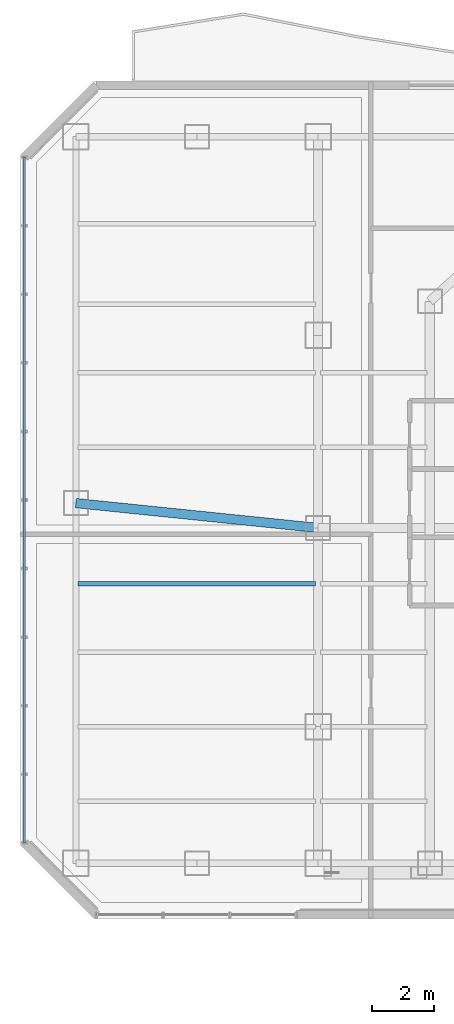
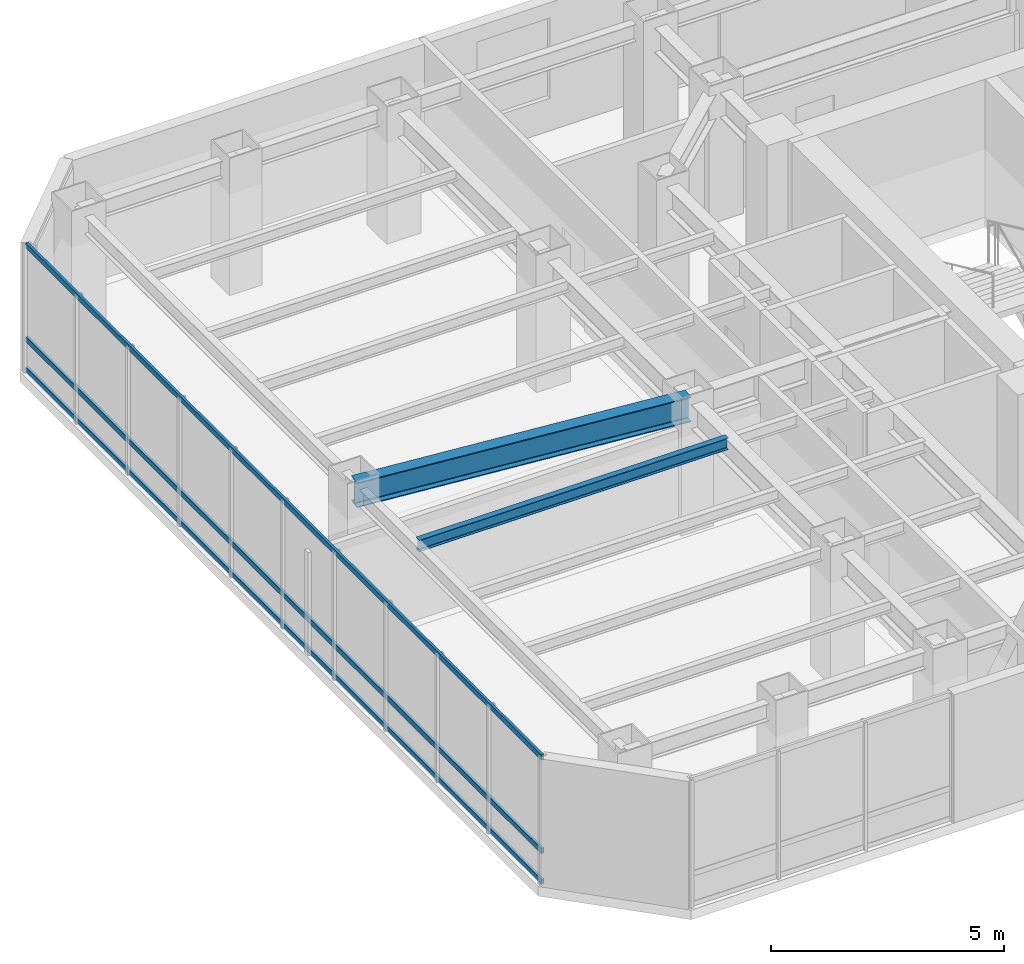
# One storey, part 7 of 27: 3 members, 2 beams, 1 element without a shape of its own.
"""IFC4 building model written with IfcOpenShell, lengths in metres."""

from ifc_helpers import new_model, si_unit, direction, frame, origin, origin_2d, place, context, subcontext, project, spatial, hollow_rectangle, i_section, extrude, material, layer, layer_set, material_profile, profile_set, type_object, element, aggregate, save


model = new_model("IFC4")

# Units and contexts
model_context = context("Model", 3, precision=1e-05, world=origin(), true_north=direction((0.0, 1.0)))
body_context = subcontext(model_context, "Body", "Model", "MODEL_VIEW")
ifc_project = project(units=[si_unit("LENGTHUNIT", "METRE"), si_unit("AREAUNIT", "SQUARE_METRE"), si_unit("VOLUMEUNIT", "CUBIC_METRE"), si_unit("PLANEANGLEUNIT", "RADIAN"), si_unit("MASSUNIT", "GRAM", prefix="KILO")], contexts=[model_context])

# Site, building, storey
site_placement = place(None, origin())
site = spatial("IfcSite", under=ifc_project, at=site_placement, CompositionType="ELEMENT")
building_placement = place(site_placement, origin())
building = spatial("IfcBuilding", under=site, at=building_placement, Name="Hatsunagi Terrace Concourse", CompositionType="ELEMENT")
storey_placement = place(building_placement, frame((0.0, 0.0, 156.449951171875)))
storey = spatial("IfcBuildingStorey", under=building, at=storey_placement, Name="L41", CompositionType="ELEMENT", Elevation=156.449951171875)

# Curtain wall, members
ifc_material_1 = material(Name="Anodised Aluminium Alloy 6063-T5", Category="aluminium")
ifc_layer = layer(ifc_material_1, 0.199951171875)
ifc_layer_set = layer_set([ifc_layer], Name="OfficeZone1_CW03")
curtain_wall_type = type_object("IfcCurtainWallType", Name="OfficeZone1_CW03", PredefinedType="NOTDEFINED", material=ifc_layer_set)
curtain_wall_placement = place(storey_placement, origin())
curtain_wall = element("IfcCurtainWall", 1, at=curtain_wall_placement, inside=storey, type_object=curtain_wall_type, Name="Unitised Curtain Wall CW-03 CW-L41-09", PredefinedType="NOTDEFINED")
ifc_material_2 = material(Name="Anodised Aluminium Alloy 6063-T5", Category="aluminium")
ifc_material_profile_1 = material_profile(ifc_material_2, hollow_rectangle(XDim=0.06494140625, YDim=0.139892578125, WallThickness=0.00390625, at=origin_2d()), Name="ALU-TRN-140x65x4")
ifc_profile_set_1 = profile_set([ifc_material_profile_1], Name="Anodised Aluminium Alloy 6063-T5")
member_type = type_object("IfcMemberType", Name="CurtainWallTransom_140x65", PredefinedType="USERDEFINED", material=ifc_profile_set_1)
member_1_placement = place(storey_placement, frame((9.739990234375, 25.85791015625, 0.050048828125), z_axis=(0.0, 1.0, 0.0), x_axis=(-1.0, 0.0, 0.0)))
member_1 = element("IfcMember", 2, at=member_1_placement, type_object=member_type, Name="Curtain Wall Transom TRN-02", ObjectType="TRANSOM", PredefinedType="USERDEFINED", context=body_context, shape_type="SweptSolid", body=[
    extrude(hollow_rectangle(XDim=0.06494140625, YDim=0.139892578125, WallThickness=0.00390625, at=origin_2d()), origin(), (0.0, 0.0, 1.0), 22.083984375),
])
member_2_placement = place(storey_placement, frame((9.739990234375, 25.85791015625, 0.85009765625), z_axis=(0.0, 1.0, 0.0), x_axis=(-1.0, 0.0, 0.0)))
member_2 = element("IfcMember", 3, at=member_2_placement, type_object=member_type, Name="Curtain Wall Transom TRN-02", ObjectType="TRANSOM", PredefinedType="USERDEFINED", context=body_context, shape_type="SweptSolid", body=[
    extrude(hollow_rectangle(XDim=0.06494140625, YDim=0.139892578125, WallThickness=0.00390625, at=origin_2d()), origin(), (0.0, 0.0, 1.0), 22.083984375),
])
member_3_placement = place(storey_placement, frame((9.739990234375, 25.85791015625, 3.300048828125), z_axis=(0.0, 1.0, 0.0), x_axis=(-1.0, 0.0, 0.0)))
member_3 = element("IfcMember", 4, at=member_3_placement, type_object=member_type, Name="Curtain Wall Transom TRN-02", ObjectType="TRANSOM", PredefinedType="USERDEFINED", context=body_context, shape_type="SweptSolid", body=[
    extrude(hollow_rectangle(XDim=0.06494140625, YDim=0.139892578125, WallThickness=0.00390625, at=origin_2d()), origin(), (0.0, 0.0, 1.0), 22.083984375),
])
aggregate(curtain_wall, [member_1, member_2, member_3])

# Beams
ifc_material_3 = material(Name="Steel SN490B", Category="steel")
ifc_material_profile_2 = material_profile(ifc_material_3, i_section(OverallWidth=0.14990234375, OverallDepth=0.300048828125, WebThickness=0.006591796875, FlangeThickness=0.009033203125, FilletRadius=0.010986328125, at=origin_2d()), Name="H-300x150x6.5x9")
ifc_profile_set_2 = profile_set([ifc_material_profile_2], Name="Steel SN490B")
beam_type_1 = type_object("IfcBeamType", Name="OfficeJoist_H_300x150", PredefinedType="JOIST", material=ifc_profile_set_2)
beam_1_placement = place(storey_placement, frame((11.465087890625, 34.199951171875, 3.199951171875), z_axis=(1.0, 0.0, 0.0), x_axis=(0.0, 1.0, 0.0)))
element("IfcBeam", 5, at=beam_1_placement, inside=storey, type_object=beam_type_1, Name="Beam J-03 J-L41-W-11-342", PredefinedType="JOIST", context=body_context, shape_type="SweptSolid", body=[
    extrude(i_section(OverallWidth=0.14990234375, OverallDepth=0.300048828125, WebThickness=0.006591796875, FlangeThickness=0.009033203125, FilletRadius=0.010986328125, at=origin_2d()), origin(), (0.0, 0.0, 1.0), 7.64990234375),
])
ifc_material_4 = material(Name="Steel SN490B", Category="steel")
ifc_material_profile_3 = material_profile(ifc_material_4, i_section(OverallWidth=0.300048828125, OverallDepth=0.64990234375, WebThickness=0.012939453125, FlangeThickness=0.02197265625, FilletRadius=0.01806640625, at=origin_2d()), Name="H-650x300x13x22")
ifc_profile_set_3 = profile_set([ifc_material_profile_3], Name="Steel SN490B")
beam_type_2 = type_object("IfcBeamType", Name="OfficeLowGirder_H_650x300", PredefinedType="BEAM", material=ifc_profile_set_3)
beam_2_placement = place(storey_placement, frame((11.39990234375, 36.800048828125, 3.025146484375), z_axis=(0.994780871372, -0.102034395927, 0.0), x_axis=(0.102034395927, 0.994780871372, 0.0)))
element("IfcBeam", 6, at=beam_2_placement, inside=storey, type_object=beam_type_2, Name="Beam G-05 BM-L41-EW-2", PredefinedType="BEAM", context=body_context, shape_type="SweptSolid", body=[
    extrude(i_section(OverallWidth=0.300048828125, OverallDepth=0.64990234375, WebThickness=0.012939453125, FlangeThickness=0.02197265625, FilletRadius=0.01806640625, at=origin_2d()), origin(), (0.0, 0.0, 1.0), 7.841064453125),
])

save(model, "model.ifc")
